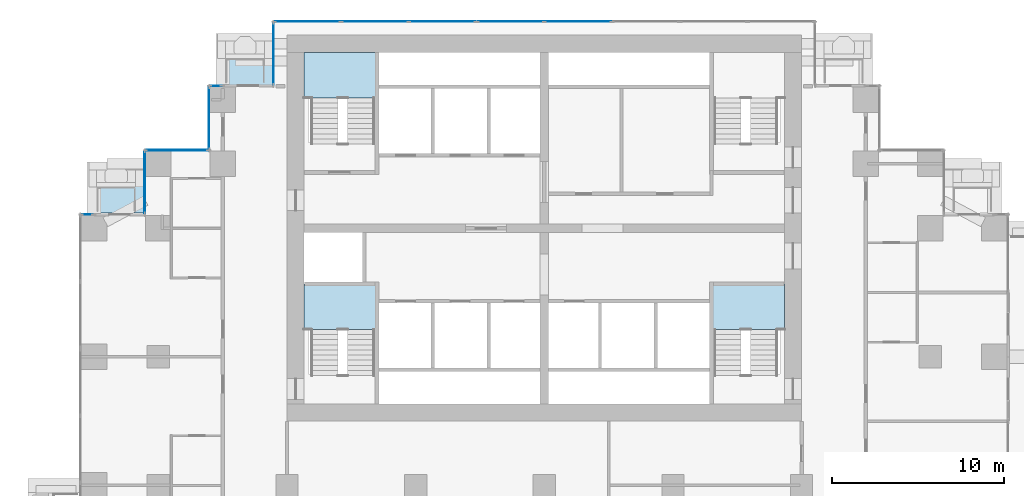
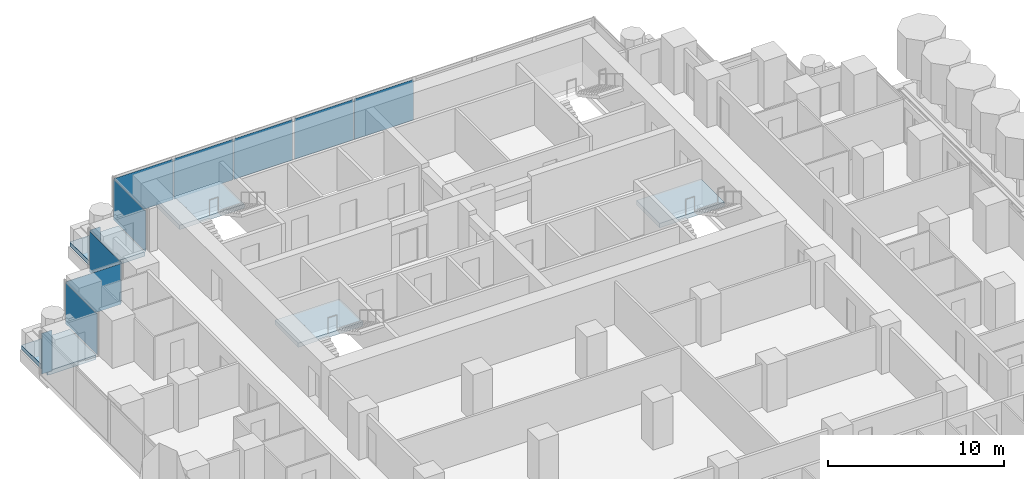
# One storey, part 9 of 19: 11 plates, 5 slabs, 11 elements without a shape of their own.
"""IFC4 building model written with IfcOpenShell, lengths in metres."""

from ifc_helpers import new_model, si_unit, direction, frame, origin, origin_2d, place, context, subcontext, project, spatial, polyline, rectangle, outline, extrude, material, layer, layer_set, type_object, element, aggregate, save


model = new_model("IFC4")

# Units and contexts
model_context = context("Model", 3, precision=1e-05, world=origin(), true_north=direction((0.0, 1.0)))
body_context = subcontext(model_context, "Body", "Model", "MODEL_VIEW")
ifc_project = project(units=[si_unit("LENGTHUNIT", "METRE"), si_unit("AREAUNIT", "SQUARE_METRE"), si_unit("VOLUMEUNIT", "CUBIC_METRE"), si_unit("PLANEANGLEUNIT", "RADIAN"), si_unit("MASSUNIT", "GRAM", prefix="KILO")], contexts=[model_context])

# Site, building, storey
site_placement = place(None, origin())
site = spatial("IfcSite", under=ifc_project, at=site_placement, CompositionType="ELEMENT")
building_placement = place(site_placement, origin())
building = spatial("IfcBuilding", under=site, at=building_placement, Name="Pilkhan Gate Tower", CompositionType="ELEMENT")
storey_placement = place(building_placement, frame((0.0, 0.0, 72.5)))
storey = spatial("IfcBuildingStorey", under=building, at=storey_placement, Name="L16", CompositionType="ELEMENT", Elevation=72.5)

# Slabs
ifc_material_1 = material(Name="Concrete C60/75", Category="concrete")
ifc_layer_1 = layer(ifc_material_1, 0.300048828125)
ifc_layer_set_1 = layer_set([ifc_layer_1], Name="Balcony tray slab TR300")
slab_type_1 = type_object("IfcSlabType", Name="Balcony tray slab TR300", PredefinedType="FLOOR", material=ifc_layer_set_1)
slab_1_placement = place(storey_placement, frame((0.0, 0.0, -0.300048828125)))
element("IfcSlab", 1, at=slab_1_placement, inside=storey, type_object=slab_type_1, Name="Balcony tray L16 N", PredefinedType="FLOOR", context=body_context, shape_type="SweptSolid", body=[
    extrude(outline(polyline([(59.14990234375, 90.85009765625), (59.14990234375, 93.85009765625), (55.949951171875, 93.85009765625), (55.949951171875, 90.85009765625), (59.14990234375, 90.85009765625)])), origin(), (0.0, 0.0, 1.0), 0.300048828125),
])
slab_2_placement = place(storey_placement, frame((0.0, 0.0, -0.300048828125)))
element("IfcSlab", 2, at=slab_2_placement, inside=storey, type_object=slab_type_1, Name="Balcony tray L16 N", PredefinedType="FLOOR", context=body_context, shape_type="SweptSolid", body=[
    extrude(outline(polyline([(51.6298828125, 83.3701171875), (51.6298828125, 86.35009765625), (48.449951171875, 86.35009765625), (48.449951171875, 83.3701171875), (51.6298828125, 83.3701171875)])), origin(), (0.0, 0.0, 1.0), 0.300048828125),
])

# Curtain wall, plates
ifc_material_2 = material(Name="Pale anodised aluminium, clear low-iron double glazing", Category="aluminium")
curtain_wall_type = type_object("IfcCurtainWallType", Name="Hotel unitised curtain wall CW-H", PredefinedType="USERDEFINED", material=ifc_material_2)
curtain_wall_1_placement = place(storey_placement, origin())
curtain_wall_1 = element("IfcCurtainWall", 3, at=curtain_wall_1_placement, inside=storey, type_object=curtain_wall_type, Name="Hotel unitised curtain wall CW-H L16 N", ObjectType="UNITISED CURTAIN WALL", PredefinedType="USERDEFINED")
ifc_material_3 = material(Name="Clear low-iron double glazing", Category="glass")
ifc_layer_2 = layer(ifc_material_3, 0.035888671875)
ifc_layer_set_2 = layer_set([ifc_layer_2], Name="Glass panel CW-H 36")
plate_type = type_object("IfcPlateType", Name="Glass panel CW-H 36", PredefinedType="CURTAIN_PANEL", material=ifc_layer_set_2)
plate_1_placement = place(storey_placement, frame((61.195556640625, 94.544921875, 0.0), z_axis=(0.0, 0.0, 1.0), x_axis=(1.0, 0.0, 0.0)))
plate_1 = element("IfcPlate", 4, at=plate_1_placement, type_object=plate_type, Name="CW-H panel 1", PredefinedType="CURTAIN_PANEL", context=body_context, shape_type="SweptSolid", body=[
    extrude(rectangle(XDim=3.851318359375, YDim=0.035888671875, at=origin_2d()), origin(), (0.0, 0.0, 1.0), 2.820068359375),
])
plate_2_placement = place(storey_placement, frame((65.128173828125, 94.544921875, 0.0), z_axis=(0.0, 0.0, 1.0), x_axis=(1.0, 0.0, 0.0)))
plate_2 = element("IfcPlate", 5, at=plate_2_placement, type_object=plate_type, Name="CW-H panel 2", PredefinedType="CURTAIN_PANEL", context=body_context, shape_type="SweptSolid", body=[
    extrude(rectangle(XDim=3.8837890625, YDim=0.035888671875, at=origin_2d()), origin(), (0.0, 0.0, 1.0), 2.820068359375),
])
plate_3_placement = place(storey_placement, frame((69.060546875, 94.544921875, 0.0), z_axis=(0.0, 0.0, 1.0), x_axis=(1.0, 0.0, 0.0)))
plate_3 = element("IfcPlate", 6, at=plate_3_placement, type_object=plate_type, Name="CW-H panel 3", PredefinedType="CURTAIN_PANEL", context=body_context, shape_type="SweptSolid", body=[
    extrude(rectangle(XDim=3.851318359375, YDim=0.035888671875, at=origin_2d()), origin(), (0.0, 0.0, 1.0), 2.820068359375),
])
aggregate(curtain_wall_1, [plate_1, plate_2, plate_3])

curtain_wall_2_placement = place(storey_placement, origin())
curtain_wall_2 = element("IfcCurtainWall", 7, at=curtain_wall_2_placement, inside=storey, type_object=curtain_wall_type, Name="Hotel unitised curtain wall CW-H L16 N", ObjectType="UNITISED CURTAIN WALL", PredefinedType="USERDEFINED")
plate_4_placement = place(storey_placement, frame((73.0419921875, 94.544921875, 0.0), z_axis=(0.0, 0.0, 1.0), x_axis=(1.0, 0.0, 0.0)))
plate_4 = element("IfcPlate", 8, at=plate_4_placement, type_object=plate_type, Name="CW-H panel 1", PredefinedType="CURTAIN_PANEL", context=body_context, shape_type="SweptSolid", body=[
    extrude(rectangle(XDim=3.851318359375, YDim=0.035888671875, at=origin_2d()), origin(), (0.0, 0.0, 1.0), 2.820068359375),
])
plate_5_placement = place(storey_placement, frame((76.974365234375, 94.544921875, 0.0), z_axis=(0.0, 0.0, 1.0), x_axis=(1.0, 0.0, 0.0)))
plate_5 = element("IfcPlate", 9, at=plate_5_placement, type_object=plate_type, Name="CW-H panel 2", PredefinedType="CURTAIN_PANEL", context=body_context, shape_type="SweptSolid", body=[
    extrude(rectangle(XDim=3.8837890625, YDim=0.035888671875, at=origin_2d()), origin(), (0.0, 0.0, 1.0), 2.820068359375),
])
aggregate(curtain_wall_2, [plate_4, plate_5])

# Curtain wall, plate
curtain_wall_3_placement = place(storey_placement, origin())
curtain_wall_3 = element("IfcCurtainWall", 10, at=curtain_wall_3_placement, inside=storey, type_object=curtain_wall_type, Name="Hotel unitised curtain wall CW-H L16 W", ObjectType="UNITISED CURTAIN WALL", PredefinedType="USERDEFINED")
plate_6_placement = place(storey_placement, frame((59.205078125, 92.669921875, 0.0), z_axis=(0.0, 0.0, 1.0), x_axis=(0.0, 1.0, 0.0)))
plate_6 = element("IfcPlate", 11, at=plate_6_placement, type_object=plate_type, Name="CW-H panel 1", PredefinedType="CURTAIN_PANEL", context=body_context, shape_type="SweptSolid", body=[
    extrude(rectangle(XDim=3.6201171875, YDim=0.035888671875, at=origin_2d()), origin(), (0.0, 0.0, 1.0), 2.820068359375),
])
aggregate(curtain_wall_3, [plate_6])

curtain_wall_4_placement = place(storey_placement, origin())
curtain_wall_4 = element("IfcCurtainWall", 12, at=curtain_wall_4_placement, inside=storey, type_object=curtain_wall_type, Name="Hotel unitised curtain wall CW-H L16 N", ObjectType="UNITISED CURTAIN WALL", PredefinedType="USERDEFINED")
plate_7_placement = place(storey_placement, frame((55.8525390625, 90.794921875, 0.0), z_axis=(0.0, 0.0, 1.0), x_axis=(1.0, 0.0, 0.0)))
plate_7 = element("IfcPlate", 13, at=plate_7_placement, type_object=plate_type, Name="CW-H panel 1", PredefinedType="CURTAIN_PANEL", context=body_context, shape_type="SweptSolid", body=[
    extrude(rectangle(XDim=0.6650390625, YDim=0.035888671875, at=origin_2d()), origin(), (0.0, 0.0, 1.0), 2.820068359375),
])
aggregate(curtain_wall_4, [plate_7])

curtain_wall_5_placement = place(storey_placement, origin())
curtain_wall_5 = element("IfcCurtainWall", 14, at=curtain_wall_5_placement, inside=storey, type_object=curtain_wall_type, Name="Hotel unitised curtain wall CW-H L16 W", ObjectType="UNITISED CURTAIN WALL", PredefinedType="USERDEFINED")
plate_8_placement = place(storey_placement, frame((55.455078125, 88.919921875, 0.0), z_axis=(0.0, 0.0, 1.0), x_axis=(0.0, 1.0, 0.0)))
plate_8 = element("IfcPlate", 15, at=plate_8_placement, type_object=plate_type, Name="CW-H panel 1", PredefinedType="CURTAIN_PANEL", context=body_context, shape_type="SweptSolid", body=[
    extrude(rectangle(XDim=3.6201171875, YDim=0.035888671875, at=origin_2d()), origin(), (0.0, 0.0, 1.0), 2.820068359375),
])
aggregate(curtain_wall_5, [plate_8])

curtain_wall_6_placement = place(storey_placement, origin())
curtain_wall_6 = element("IfcCurtainWall", 16, at=curtain_wall_6_placement, inside=storey, type_object=curtain_wall_type, Name="Hotel unitised curtain wall CW-H L16 N", ObjectType="UNITISED CURTAIN WALL", PredefinedType="USERDEFINED")
plate_9_placement = place(storey_placement, frame((53.580078125, 87.044921875, 0.0), z_axis=(0.0, 0.0, 1.0), x_axis=(1.0, 0.0, 0.0)))
plate_9 = element("IfcPlate", 17, at=plate_9_placement, type_object=plate_type, Name="CW-H panel 1", PredefinedType="CURTAIN_PANEL", context=body_context, shape_type="SweptSolid", body=[
    extrude(rectangle(XDim=3.6201171875, YDim=0.035888671875, at=origin_2d()), origin(), (0.0, 0.0, 1.0), 2.820068359375),
])
aggregate(curtain_wall_6, [plate_9])

curtain_wall_7_placement = place(storey_placement, origin())
curtain_wall_7 = element("IfcCurtainWall", 18, at=curtain_wall_7_placement, inside=storey, type_object=curtain_wall_type, Name="Hotel unitised curtain wall CW-H L16 W", ObjectType="UNITISED CURTAIN WALL", PredefinedType="USERDEFINED")
plate_10_placement = place(storey_placement, frame((51.705078125, 85.169921875, 0.0), z_axis=(0.0, 0.0, 1.0), x_axis=(0.0, 1.0, 0.0)))
plate_10 = element("IfcPlate", 19, at=plate_10_placement, type_object=plate_type, Name="CW-H panel 1", PredefinedType="CURTAIN_PANEL", context=body_context, shape_type="SweptSolid", body=[
    extrude(rectangle(XDim=3.6201171875, YDim=0.035888671875, at=origin_2d()), origin(), (0.0, 0.0, 1.0), 2.820068359375),
])
aggregate(curtain_wall_7, [plate_10])

curtain_wall_8_placement = place(storey_placement, origin())
curtain_wall_8 = element("IfcCurtainWall", 20, at=curtain_wall_8_placement, inside=storey, type_object=curtain_wall_type, Name="Hotel unitised curtain wall CW-H L16 N", ObjectType="UNITISED CURTAIN WALL", PredefinedType="USERDEFINED")
plate_11_placement = place(storey_placement, frame((48.3525390625, 83.294921875, 0.0), z_axis=(0.0, 0.0, 1.0), x_axis=(1.0, 0.0, 0.0)))
plate_11 = element("IfcPlate", 21, at=plate_11_placement, type_object=plate_type, Name="CW-H panel 1", PredefinedType="CURTAIN_PANEL", context=body_context, shape_type="SweptSolid", body=[
    extrude(rectangle(XDim=0.6650390625, YDim=0.035888671875, at=origin_2d()), origin(), (0.0, 0.0, 1.0), 2.820068359375),
])
aggregate(curtain_wall_8, [plate_11])

# Stair, slab
ifc_material_4 = material(Name="Concrete C40/50 precast", Category="concrete")
stair_type_1 = type_object("IfcStairType", Name="Stair ST1 165x300", PredefinedType="HALF_TURN_STAIR", material=ifc_material_4)
stair_1_placement = place(storey_placement, origin())
stair_1 = element("IfcStair", 22, at=stair_1_placement, inside=storey, type_object=stair_type_1, Name="Stair ST1 L16", PredefinedType="HALF_TURN_STAIR")
ifc_material_5 = material(Name="Concrete C40/50", Category="concrete")
ifc_layer_3 = layer(ifc_material_5, 0.199951171875)
ifc_layer_set_3 = layer_set([ifc_layer_3], Name="Stair landing SL200")
slab_type_2 = type_object("IfcSlabType", Name="Stair landing SL200", PredefinedType="LANDING", material=ifc_layer_set_3)
slab_3_placement = place(storey_placement, frame((0.0, 0.0, 1.35009765625)))
slab_3 = element("IfcSlab", 23, at=slab_3_placement, type_object=slab_type_2, Name="ST1 landing 1", PredefinedType="LANDING", context=body_context, shape_type="SweptSolid", body=[
    extrude(outline(polyline([(89.0, 76.60009765625), (89.0, 79.25), (84.75, 79.25), (84.75, 76.60009765625), (89.0, 76.60009765625)])), origin(), (0.0, 0.0, 1.0), 0.2998046875),
])
aggregate(stair_1, [slab_3])

stair_type_2 = type_object("IfcStairType", Name="Stair ST2 165x300", PredefinedType="HALF_TURN_STAIR", material=ifc_material_4)
stair_2_placement = place(storey_placement, origin())
stair_2 = element("IfcStair", 24, at=stair_2_placement, inside=storey, type_object=stair_type_2, Name="Stair ST2 L16", PredefinedType="HALF_TURN_STAIR")
slab_4_placement = place(storey_placement, frame((0.0, 0.0, 1.35009765625)))
slab_4 = element("IfcSlab", 25, at=slab_4_placement, type_object=slab_type_2, Name="ST2 landing 1", PredefinedType="LANDING", context=body_context, shape_type="SweptSolid", body=[
    extrude(outline(polyline([(65.25, 76.60009765625), (65.25, 79.25), (61.0, 79.25), (61.0, 76.60009765625), (65.25, 76.60009765625)])), origin(), (0.0, 0.0, 1.0), 0.2998046875),
])
aggregate(stair_2, [slab_4])

stair_type_3 = type_object("IfcStairType", Name="Stair ST3 165x300", PredefinedType="HALF_TURN_STAIR", material=ifc_material_4)
stair_3_placement = place(storey_placement, origin())
stair_3 = element("IfcStair", 26, at=stair_3_placement, inside=storey, type_object=stair_type_3, Name="Stair ST3 L16", PredefinedType="HALF_TURN_STAIR")
slab_5_placement = place(storey_placement, frame((0.0, 0.0, 1.35009765625)))
slab_5 = element("IfcSlab", 27, at=slab_5_placement, type_object=slab_type_2, Name="ST3 landing 1", PredefinedType="LANDING", context=body_context, shape_type="SweptSolid", body=[
    extrude(outline(polyline([(65.25, 90.10009765625), (65.25, 92.75), (61.0, 92.75), (61.0, 90.10009765625), (65.25, 90.10009765625)])), origin(), (0.0, 0.0, 1.0), 0.2998046875),
])
aggregate(stair_3, [slab_5])

save(model, "model.ifc")
